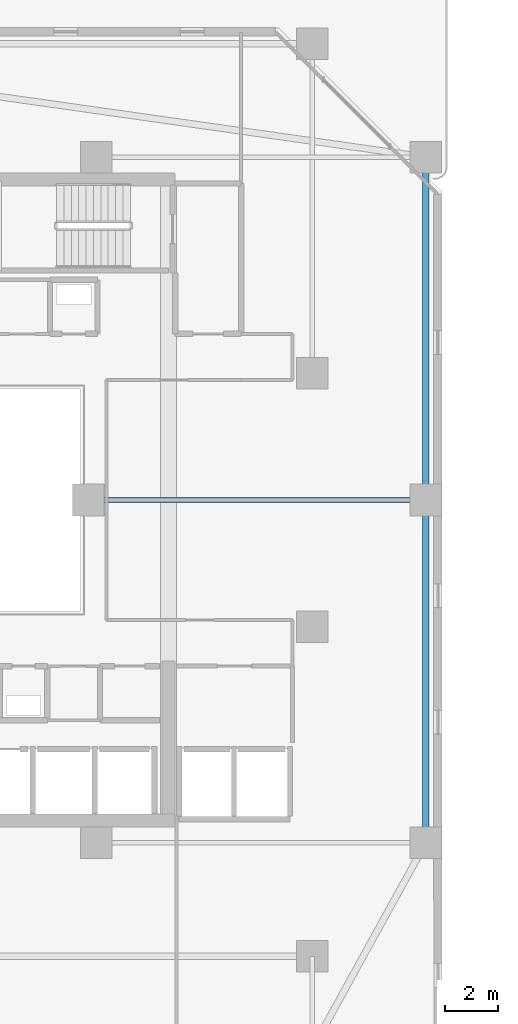
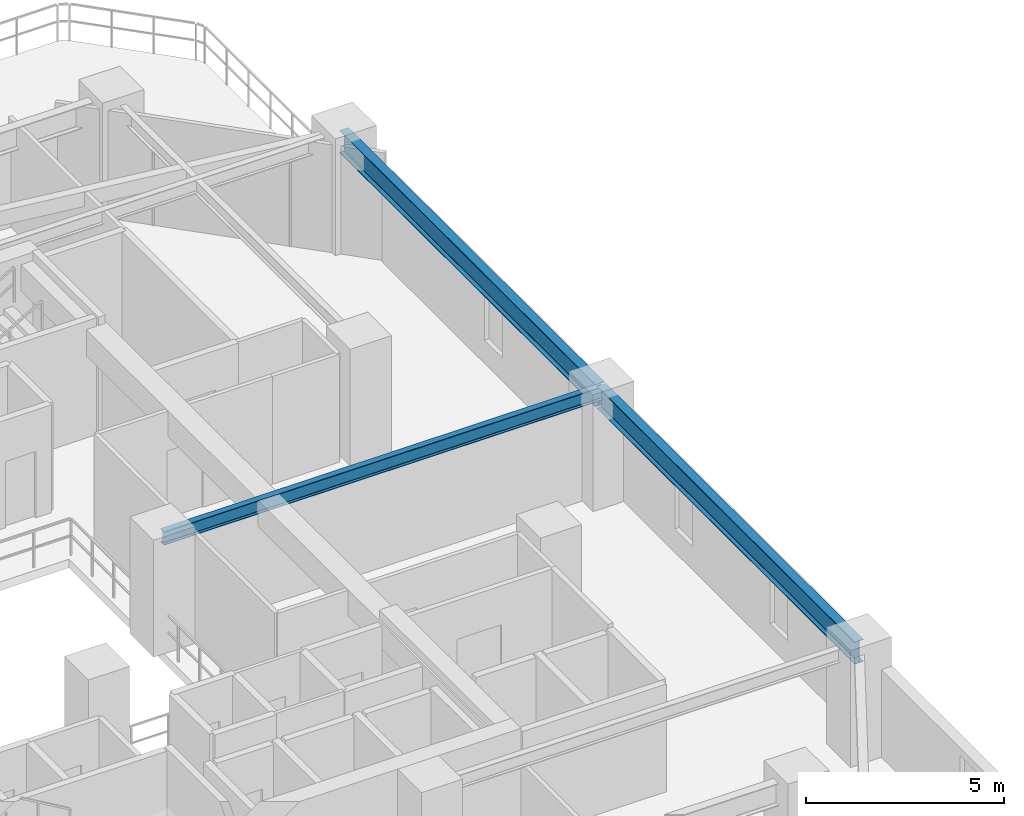
# One storey, part 6 of 31: 3 beams.
"""IFC4 building model written with IfcOpenShell, lengths in metres."""

from ifc_helpers import new_model, si_unit, direction, frame, origin, origin_2d, place, context, subcontext, project, spatial, i_section, extrude, material, material_profile, profile_set, type_object, element, save


model = new_model("IFC4")

# Units and contexts
model_context = context("Model", 3, precision=1e-05, world=origin(), true_north=direction((0.0, 1.0)))
body_context = subcontext(model_context, "Body", "Model", "MODEL_VIEW")
ifc_project = project(units=[si_unit("LENGTHUNIT", "METRE"), si_unit("AREAUNIT", "SQUARE_METRE"), si_unit("VOLUMEUNIT", "CUBIC_METRE"), si_unit("PLANEANGLEUNIT", "RADIAN"), si_unit("MASSUNIT", "GRAM", prefix="KILO")], contexts=[model_context])

# Site, building, storey
site_placement = place(None, origin())
site = spatial("IfcSite", under=ifc_project, at=site_placement, CompositionType="ELEMENT")
building_placement = place(site_placement, origin())
building = spatial("IfcBuilding", under=site, at=building_placement, Name="Thornwick Lancets Civic Towers", CompositionType="ELEMENT")
storey_placement = place(building_placement, frame((0.0, 0.0, 119.699951171875)))
storey = spatial("IfcBuildingStorey", under=building, at=storey_placement, Name="L31", CompositionType="ELEMENT", Elevation=119.699951171875)

# Beams
ifc_material = material(Name="Steel S355JR", Category="steel")
ifc_material_profile_1 = material_profile(ifc_material, i_section(OverallWidth=0.255859375, OverallDepth=0.69287109375, WebThickness=0.014404296875, FlangeThickness=0.023681640625, FilletRadius=0.01513671875, at=origin_2d()), Name="UKB 686x254x170")
ifc_profile_set_1 = profile_set([ifc_material_profile_1], Name="Steel S355JR")
beam_type_1 = type_object("IfcBeamType", Name="BM_GIRD_686_170", PredefinedType="BEAM", material=ifc_profile_set_1)
beam_1_placement = place(storey_placement, frame((42.800048828125, 14.0, 2.99365234375), z_axis=(0.0, 1.0, 0.0), x_axis=(-1.0, 0.0, 0.0)))
element("IfcBeam", 1, at=beam_1_placement, inside=storey, type_object=beam_type_1, Name="BM-SPINE-L31-A-3-4", PredefinedType="BEAM", context=body_context, shape_type="SweptSolid", body=[
    extrude(i_section(OverallWidth=0.255859375, OverallDepth=0.69287109375, WebThickness=0.014404296875, FlangeThickness=0.023681640625, FilletRadius=0.01513671875, at=origin_2d()), origin(), (0.0, 0.0, 1.0), 13.0),
])
beam_2_placement = place(storey_placement, frame((42.800048828125, 27.080078125, 2.99365234375), z_axis=(0.0, 1.0, 0.0), x_axis=(-1.0, 0.0, 0.0)))
element("IfcBeam", 2, at=beam_2_placement, inside=storey, type_object=beam_type_1, Name="BM-SPINE-L31-A-4-5", PredefinedType="BEAM", context=body_context, shape_type="SweptSolid", body=[
    extrude(i_section(OverallWidth=0.255859375, OverallDepth=0.69287109375, WebThickness=0.014404296875, FlangeThickness=0.023681640625, FilletRadius=0.01513671875, at=origin_2d()), origin(), (0.0, 0.0, 1.0), 12.919921875),
])
ifc_material_profile_2 = material_profile(ifc_material, i_section(OverallWidth=0.179443359375, OverallDepth=0.412841796875, WebThickness=0.009521484375, FlangeThickness=0.01611328125, FilletRadius=0.01025390625, at=origin_2d()), Name="UKB 406x178x74")
ifc_profile_set_2 = profile_set([ifc_material_profile_2], Name="Steel S355JR")
beam_type_2 = type_object("IfcBeamType", Name="BM_JOIST_406_74", PredefinedType="JOIST", material=ifc_profile_set_2)
beam_3_placement = place(storey_placement, frame((30.0, 27.0, 3.133544921875), z_axis=(1.0, 0.0, 0.0), x_axis=(0.0, 1.0, 0.0)))
element("IfcBeam", 3, at=beam_3_placement, inside=storey, type_object=beam_type_2, Name="BM-RADIN-L31-A05", PredefinedType="JOIST", context=body_context, shape_type="SweptSolid", body=[
    extrude(i_section(OverallWidth=0.179443359375, OverallDepth=0.412841796875, WebThickness=0.009521484375, FlangeThickness=0.01611328125, FilletRadius=0.01025390625, at=origin_2d()), origin(), (0.0, 0.0, 1.0), 12.800048828125),
])

save(model, "model.ifc")
